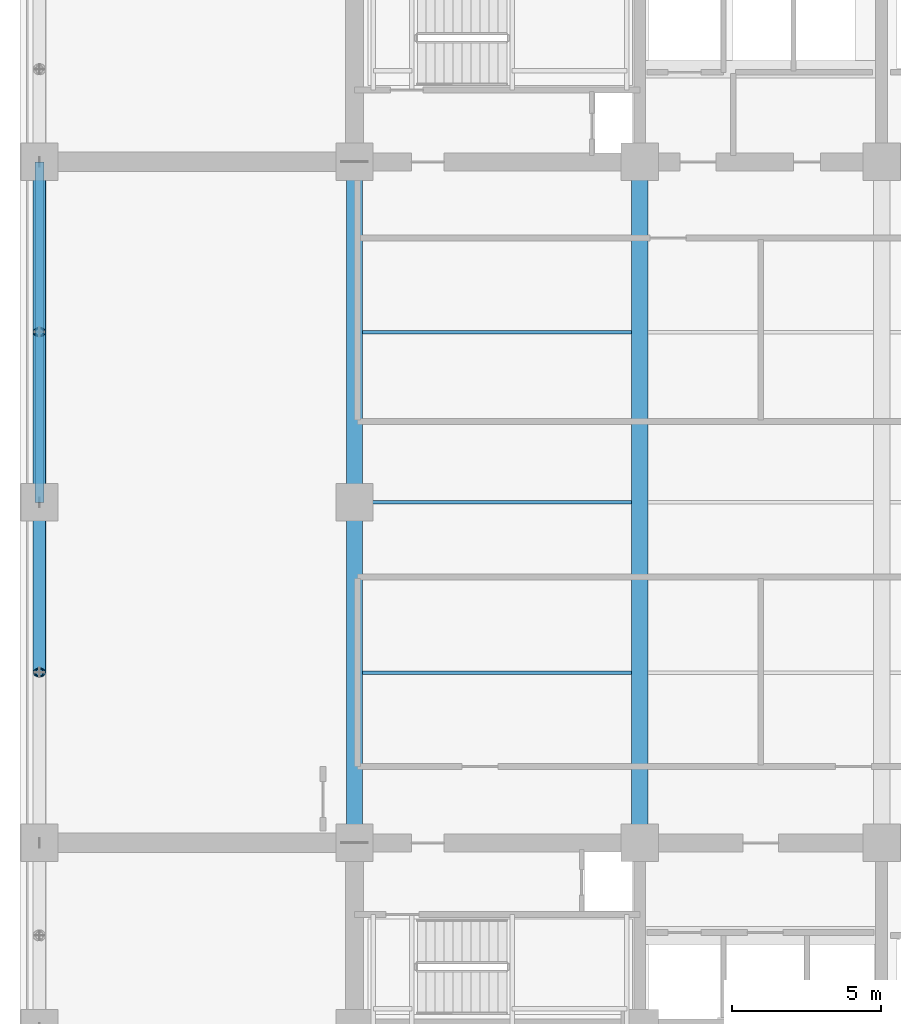
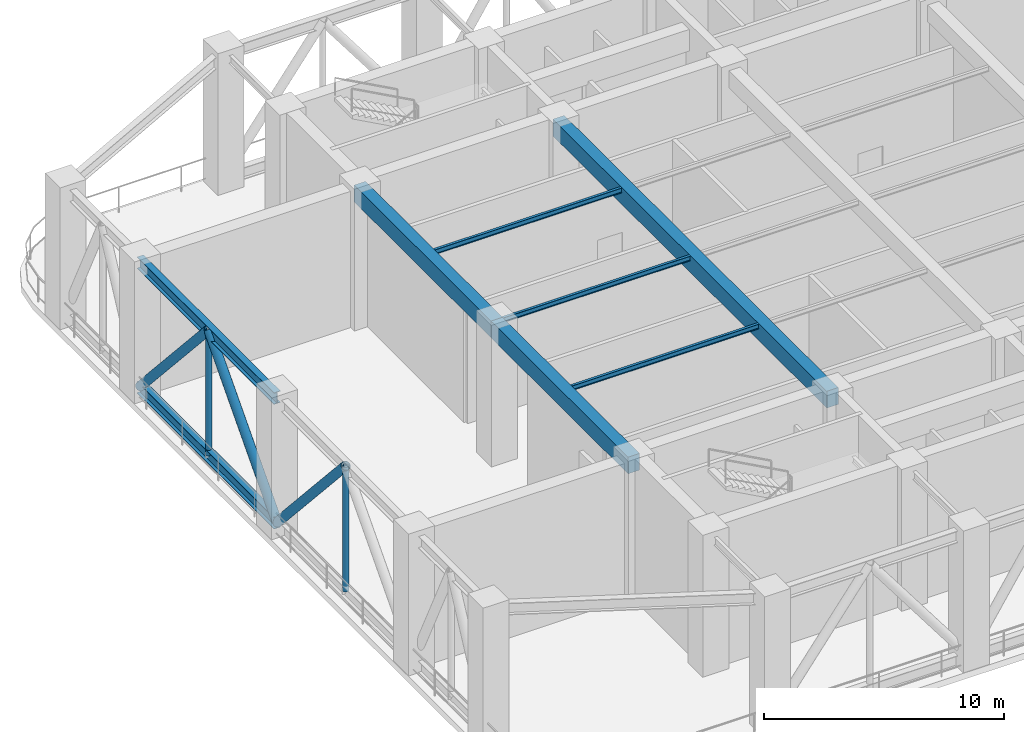
# One storey, part 4 of 20: 8 beams, 5 members.
"""IFC4 building model written with IfcOpenShell, lengths in metres."""

from ifc_helpers import new_model, si_unit, direction, frame, origin, origin_2d, place, context, subcontext, project, spatial, rectangle, hollow_circle, i_section, extrude, material, material_profile, profile_set, type_object, element, save


model = new_model("IFC4")

# Units and contexts
model_context = context("Model", 3, precision=1e-05, world=origin(), true_north=direction((0.0, 1.0)))
body_context = subcontext(model_context, "Body", "Model", "MODEL_VIEW")
ifc_project = project(units=[si_unit("LENGTHUNIT", "METRE"), si_unit("AREAUNIT", "SQUARE_METRE"), si_unit("VOLUMEUNIT", "CUBIC_METRE"), si_unit("PLANEANGLEUNIT", "RADIAN"), si_unit("MASSUNIT", "GRAM", prefix="KILO")], contexts=[model_context])

# Site, building, storey
site_placement = place(None, origin())
site = spatial("IfcSite", under=ifc_project, at=site_placement, CompositionType="ELEMENT")
building_placement = place(site_placement, origin())
building = spatial("IfcBuilding", under=site, at=building_placement, Name="Svetorya Sky Lyceum", CompositionType="ELEMENT")
storey_placement = place(building_placement, frame((0.0, 0.0, 76.89990234375)))
storey = spatial("IfcBuildingStorey", under=building, at=storey_placement, Name="L19", CompositionType="ELEMENT", Elevation=76.89990234375)

# Beams
ifc_material_1 = material(Name="Concrete C50/60", Category="concrete")
ifc_material_profile_1 = material_profile(ifc_material_1, rectangle(XDim=0.550048828125, YDim=0.85009765625, at=origin_2d()), Name="RC BEAM 550x850")
ifc_profile_set_1 = profile_set([ifc_material_profile_1], Name="Concrete C50/60")
beam_type_1 = type_object("IfcBeamType", Name="BM-RC-850", PredefinedType="BEAM", material=ifc_profile_set_1)
beam_1_placement = place(storey_placement, frame((25.60009765625, 16.800048828125, 6.4951171875), z_axis=(0.0, 1.0, 0.0), x_axis=(-1.0, 0.0, 0.0)))
element("IfcBeam", 1, at=beam_1_placement, inside=storey, type_object=beam_type_1, Name="L19 Central Bay Primary Girder CG-1A", PredefinedType="BEAM", context=body_context, shape_type="SweptSolid", body=[
    extrude(rectangle(XDim=0.550048828125, YDim=0.85009765625, at=origin_2d()), origin(), (0.0, 0.0, 1.0), 11.39990234375),
])
beam_2_placement = place(storey_placement, frame((25.60009765625, 28.199951171875, 6.4951171875), z_axis=(0.0, 1.0, 0.0), x_axis=(-1.0, 0.0, 0.0)))
element("IfcBeam", 2, at=beam_2_placement, inside=storey, type_object=beam_type_1, Name="L19 Central Bay Primary Girder CG-1B", PredefinedType="BEAM", context=body_context, shape_type="SweptSolid", body=[
    extrude(rectangle(XDim=0.550048828125, YDim=0.85009765625, at=origin_2d()), origin(), (0.0, 0.0, 1.0), 11.400146484375),
])
beam_3_placement = place(storey_placement, frame((35.14990234375, 16.800048828125, 6.4951171875), z_axis=(0.0, 1.0, 0.0), x_axis=(-1.0, 0.0, 0.0)))
element("IfcBeam", 3, at=beam_3_placement, inside=storey, type_object=beam_type_1, Name="L19 Central Bay Primary Girder CG-2", PredefinedType="BEAM", context=body_context, shape_type="SweptSolid", body=[
    extrude(rectangle(XDim=0.550048828125, YDim=0.85009765625, at=origin_2d()), origin(), (0.0, 0.0, 1.0), 22.800048828125),
])
ifc_material_2 = material(Name="Steel S355", Category="steel")
ifc_material_profile_2 = material_profile(ifc_material_2, i_section(OverallWidth=0.1240234375, OverallDepth=0.248046875, WebThickness=0.006103515625, FlangeThickness=0.009521484375, at=origin_2d()), Name="GOST 25B2")
ifc_profile_set_2 = profile_set([ifc_material_profile_2], Name="Steel S355")
beam_type_2 = type_object("IfcBeamType", Name="BM-STL-25B2", PredefinedType="JOIST", material=ifc_profile_set_2)
for number, where, z_axis, x_axis, name in (
    (4, (25.875, 22.5, 6.796142578125), (1.0, 0.0, 0.0), (0.0, 1.0, 0.0), "L19 Central Floor Joist CJ-1.1"),
    (5, (25.875, 28.199951171875, 6.796142578125), (1.0, 0.0, 0.0), (0.0, 1.0, 0.0), "L19 Central Floor Joist CJ-2.1"),
    (6, (25.875, 33.89990234375, 6.796142578125), (1.0, 0.0, 0.0), (0.0, 1.0, 0.0), "L19 Central Floor Joist CJ-3.1"),
):
    element("IfcBeam", number, at=place(storey_placement, frame(where, z_axis=z_axis, x_axis=x_axis)), inside=storey, type_object=beam_type_2, Name=name, PredefinedType="JOIST", context=body_context, shape_type="SweptSolid", body=[
        extrude(i_section(OverallWidth=0.1240234375, OverallDepth=0.248046875, WebThickness=0.006103515625, FlangeThickness=0.009521484375, at=origin_2d()), origin(), (0.0, 0.0, 1.0), 9.0),
    ])
ifc_material_profile_3 = material_profile(ifc_material_2, i_section(OverallWidth=0.304931640625, OverallDepth=0.590087890625, WebThickness=0.014892578125, FlangeThickness=0.02392578125, at=origin_2d()), Name="GOST 60Sh2")
ifc_profile_set_3 = profile_set([ifc_material_profile_3], Name="Steel S355")
beam_type_3 = type_object("IfcBeamType", Name="BM-STL-60SH2", PredefinedType="BEAM", material=ifc_profile_set_3)
for number, where, z_axis, x_axis, name in (
    (7, (15.050048828125, 28.199951171875, 0.295166015625), (0.0, 1.0, 0.0), (-1.0, 0.0, 0.0), "L19 Belt Truss Bottom Chord W-3"),
    (8, (15.050048828125, 28.199951171875, 6.625), (0.0, 1.0, 0.0), (-1.0, 0.0, 0.0), "L19 Belt Truss Top Chord W-3"),
):
    element("IfcBeam", number, at=place(storey_placement, frame(where, z_axis=z_axis, x_axis=x_axis)), inside=storey, type_object=beam_type_3, Name=name, PredefinedType="BEAM", context=body_context, shape_type="SweptSolid", body=[
        extrude(i_section(OverallWidth=0.304931640625, OverallDepth=0.590087890625, WebThickness=0.014892578125, FlangeThickness=0.02392578125, at=origin_2d()), origin(), (0.0, 0.0, 1.0), 11.400146484375),
    ])

# Members
ifc_material_profile_4 = material_profile(ifc_material_2, hollow_circle(Radius=0.212890625, WallThickness=0.01806640625, at=origin_2d()), Name="CHS 426x18")
ifc_profile_set_4 = profile_set([ifc_material_profile_4], Name="Steel S355")
member_type_1 = type_object("IfcMemberType", Name="MB-BRC-CHS426", PredefinedType="BRACE", material=ifc_profile_set_4)
for number, where, z_axis, x_axis, name in (
    (9, (15.050048828125, 28.199951171875, 0.295166015625), (0.0, -0.669165814425, 0.743113122482), (1.0, 0.0, 0.0), "L19 Belt Truss Diagonal W-2B"),
    (10, (15.050048828125, 28.199951171875, 0.295166015625), (0.0, 0.669165814425, 0.743113122482), (-1.0, 0.0, 0.0), "L19 Belt Truss Diagonal W-3A"),
    (11, (15.050048828125, 39.60009765625, 0.295166015625), (0.0, -0.669181641477, 0.743098870077), (1.0, 0.0, 0.0), "L19 Belt Truss Diagonal W-3B"),
):
    element("IfcMember", number, at=place(storey_placement, frame(where, z_axis=z_axis, x_axis=x_axis)), inside=storey, type_object=member_type_1, Name=name, PredefinedType="BRACE", context=body_context, shape_type="SweptSolid", body=[
        extrude(hollow_circle(Radius=0.212890625, WallThickness=0.01806640625, at=origin_2d()), origin(), (0.0, 0.0, 1.0), 8.51806640625),
    ])
ifc_material_profile_5 = material_profile(ifc_material_2, hollow_circle(Radius=0.136474609375, WallThickness=0.011962890625, at=origin_2d()), Name="CHS 273x12")
ifc_profile_set_5 = profile_set([ifc_material_profile_5], Name="Steel S355")
member_type_2 = type_object("IfcMemberType", Name="MB-STR-CHS273", PredefinedType="STRUT", material=ifc_profile_set_5)
for number, where, z_axis, x_axis, name in (
    (12, (15.050048828125, 22.5, 0.295166015625), (0.0, 0.0, 1.0), (1.0, 0.0, 0.0), "L19 Belt Truss Post W-2"),
    (13, (15.050048828125, 33.89990234375, 0.295166015625), (0.0, 0.0, 1.0), (1.0, 0.0, 0.0), "L19 Belt Truss Post W-3"),
):
    element("IfcMember", number, at=place(storey_placement, frame(where, z_axis=z_axis, x_axis=x_axis)), inside=storey, type_object=member_type_2, Name=name, PredefinedType="STRUT", context=body_context, shape_type="SweptSolid", body=[
        extrude(hollow_circle(Radius=0.136474609375, WallThickness=0.011962890625, at=origin_2d()), origin(), (0.0, 0.0, 1.0), 6.329833984375),
    ])

save(model, "model.ifc")
